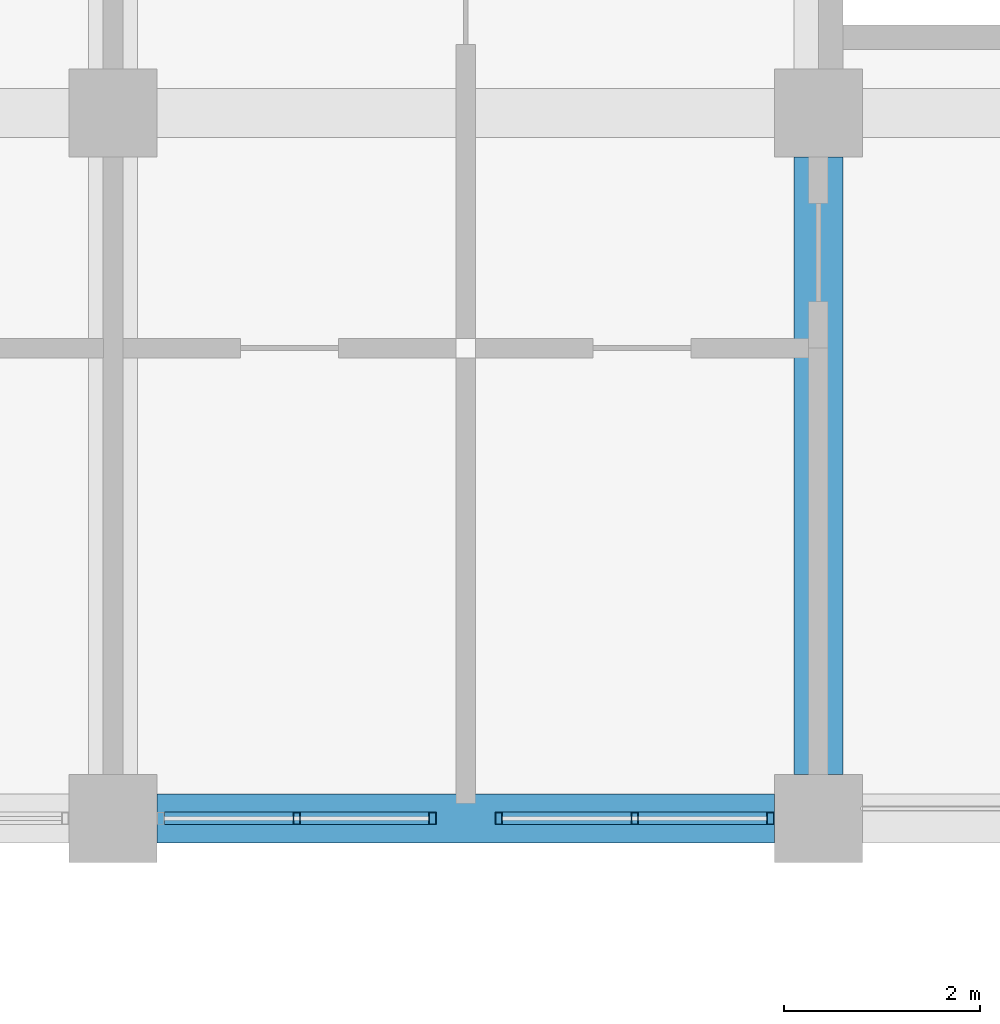
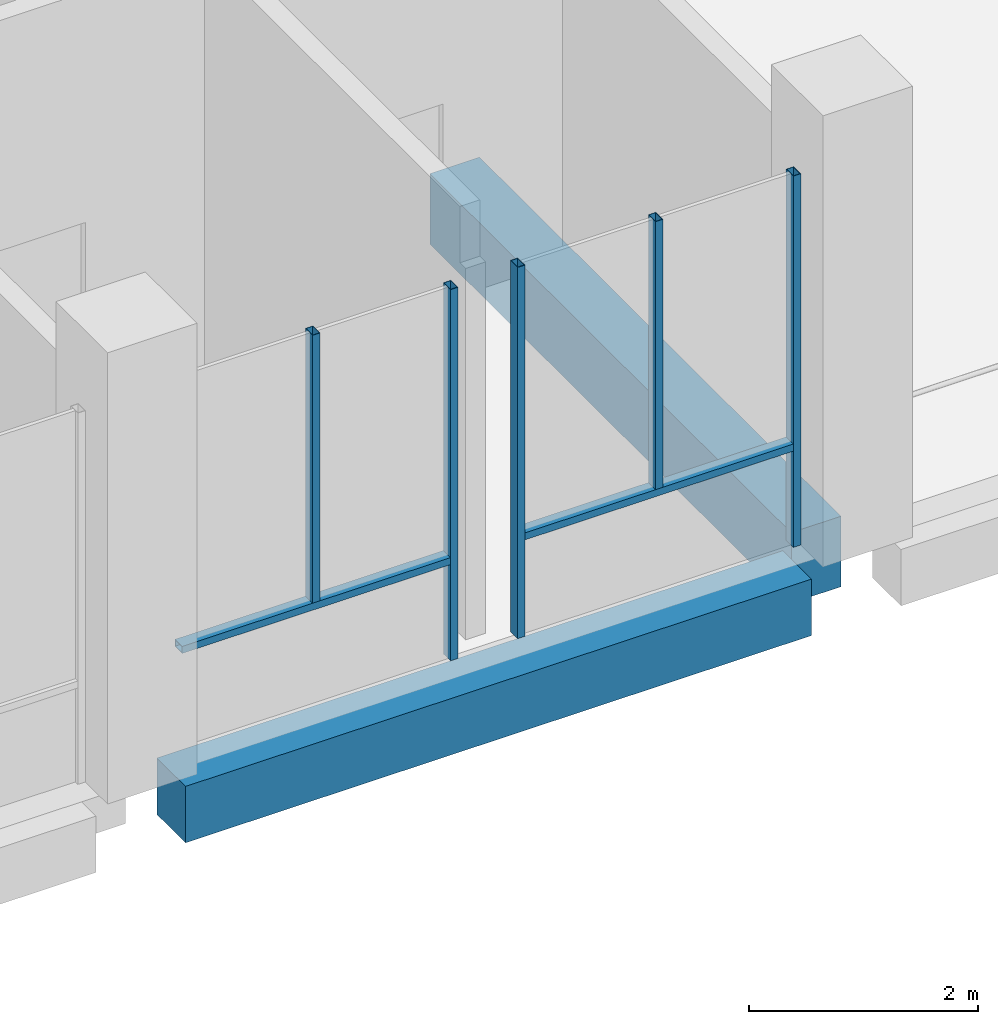
# One storey, part 10 of 39: 7 members, 2 beams, 2 elements without a shape of their own.
"""IFC4 building model written with IfcOpenShell, lengths in metres."""

from ifc_helpers import new_model, si_unit, direction, frame, origin, origin_2d, place, context, subcontext, project, spatial, rectangle, hollow_rectangle, extrude, material, material_profile, profile_set, type_object, element, aggregate, save


model = new_model("IFC4")

# Units and contexts
model_context = context("Model", 3, precision=1e-05, world=origin(), true_north=direction((0.0, 1.0)))
body_context = subcontext(model_context, "Body", "Model", "MODEL_VIEW")
ifc_project = project(units=[si_unit("LENGTHUNIT", "METRE"), si_unit("AREAUNIT", "SQUARE_METRE"), si_unit("VOLUMEUNIT", "CUBIC_METRE"), si_unit("PLANEANGLEUNIT", "RADIAN"), si_unit("MASSUNIT", "GRAM", prefix="KILO")], contexts=[model_context])

# Site, building, storey
site_placement = place(None, origin())
site = spatial("IfcSite", under=ifc_project, at=site_placement, CompositionType="ELEMENT")
building_placement = place(site_placement, origin())
building = spatial("IfcBuilding", under=site, at=building_placement, Name="Silangan Lancet Faculty of Sciences", CompositionType="ELEMENT")
storey_placement = place(building_placement, frame((0.0, 0.0, 26.39990234375)))
storey = spatial("IfcBuildingStorey", under=building, at=storey_placement, Name="L05", CompositionType="ELEMENT", Elevation=26.39990234375)

# Beams
ifc_material_1 = material(Name="Concrete C40/50", Category="concrete")
ifc_material_profile_1 = material_profile(ifc_material_1, rectangle(XDim=0.5, YDim=0.60009765625, at=origin_2d()), Name="RC 500x600")
ifc_profile_set_1 = profile_set([ifc_material_profile_1], Name="Concrete C40/50")
beam_type_1 = type_object("IfcBeamType", Name="BEAM RC 500x600", PredefinedType="BEAM", material=ifc_profile_set_1)
beam_1_placement = place(storey_placement, frame((14.85009765625, 36.0, -0.5498046875), z_axis=(1.0, 0.0, 0.0), x_axis=(0.0, 1.0, 0.0)))
element("IfcBeam", 1, at=beam_1_placement, inside=storey, type_object=beam_type_1, Name="BM-L05-3F-4F", PredefinedType="BEAM", context=body_context, shape_type="SweptSolid", body=[
    extrude(rectangle(XDim=0.5, YDim=0.60009765625, at=origin_2d()), origin(), (0.0, 0.0, 1.0), 6.2998046875),
])
ifc_material_2 = material(Name="Concrete C40/50", Category="concrete")
ifc_material_profile_2 = material_profile(ifc_material_2, rectangle(XDim=0.5, YDim=0.75, at=origin_2d()), Name="RC 500x750")
ifc_profile_set_2 = profile_set([ifc_material_profile_2], Name="Concrete C40/50")
beam_type_2 = type_object("IfcBeamType", Name="BEAM RC 500x750", PredefinedType="BEAM", material=ifc_profile_set_2)
beam_2_placement = place(storey_placement, frame((21.60009765625, 36.449951171875, -0.625), z_axis=(0.0, 1.0, 0.0), x_axis=(-1.0, 0.0, 0.0)))
element("IfcBeam", 2, at=beam_2_placement, inside=storey, type_object=beam_type_2, Name="BM-L05-4F-4G", PredefinedType="BEAM", context=body_context, shape_type="SweptSolid", body=[
    extrude(rectangle(XDim=0.5, YDim=0.75, at=origin_2d()), origin(), (0.0, 0.0, 1.0), 6.300048828125),
])

# Curtain wall, members
ifc_material_3 = material(Name="Aluminium framed curtain wall with insulated glass", Category="aluminium")
curtain_wall_type = type_object("IfcCurtainWallType", Name="CW2 Atrium fire-resisting screen", PredefinedType="NOTDEFINED", material=ifc_material_3)
curtain_wall_1_placement = place(storey_placement, origin())
curtain_wall_1 = element("IfcCurtainWall", 3, at=curtain_wall_1_placement, inside=storey, type_object=curtain_wall_type, Name="CW2 Atrium north L05 bay 5", PredefinedType="NOTDEFINED")
ifc_material_4 = material(Name="Steel S355J2H", Category="steel")
ifc_material_profile_3 = material_profile(ifc_material_4, hollow_rectangle(XDim=0.074951171875, YDim=0.125, WallThickness=0.0048828125, at=origin_2d()), Name="ST BOX 75x125x5")
ifc_profile_set_3 = profile_set([ifc_material_profile_3], Name="Steel S355J2H")
member_type_1 = type_object("IfcMemberType", Name="CM2 Mullion 75x125", PredefinedType="MULLION", material=ifc_profile_set_3)
member_1_placement = place(storey_placement, frame((17.66259765625, 36.0, 0.0), z_axis=(0.0, 0.0, 1.0), x_axis=(1.0, 0.0, 0.0)))
member_1 = element("IfcMember", 4, at=member_1_placement, type_object=member_type_1, Name="CW2 Atrium north L05 bay 5 mullion 2", PredefinedType="MULLION", context=body_context, shape_type="SweptSolid", body=[
    extrude(hollow_rectangle(XDim=0.074951171875, YDim=0.125, WallThickness=0.0048828125, at=origin_2d()), origin(), (0.0, 0.0, 1.0), 3.9501953125),
])
member_2_placement = place(storey_placement, frame((16.27490234375, 36.0, 1.10009765625), z_axis=(0.0, 0.0, 1.0), x_axis=(1.0, 0.0, 0.0)))
member_2 = element("IfcMember", 5, at=member_2_placement, type_object=member_type_1, Name="CW2 Atrium north L05 bay 5 mullion 3", PredefinedType="MULLION", context=body_context, shape_type="SweptSolid", body=[
    extrude(hollow_rectangle(XDim=0.074951171875, YDim=0.125, WallThickness=0.0048828125, at=origin_2d()), origin(), (0.0, 0.0, 1.0), 2.85009765625),
])

curtain_wall_2_placement = place(storey_placement, origin())
curtain_wall_2 = element("IfcCurtainWall", 6, at=curtain_wall_2_placement, inside=storey, type_object=curtain_wall_type, Name="CW2 Atrium north L05 bay 6", PredefinedType="NOTDEFINED")
member_3_placement = place(storey_placement, frame((18.33740234375, 36.0, 0.0), z_axis=(0.0, 0.0, 1.0), x_axis=(1.0, 0.0, 0.0)))
member_3 = element("IfcMember", 7, at=member_3_placement, type_object=member_type_1, Name="CW2 Atrium north L05 bay 6 mullion 1", PredefinedType="MULLION", context=body_context, shape_type="SweptSolid", body=[
    extrude(hollow_rectangle(XDim=0.074951171875, YDim=0.125, WallThickness=0.0048828125, at=origin_2d()), origin(), (0.0, 0.0, 1.0), 3.9501953125),
])
member_4_placement = place(storey_placement, frame((21.112548828125, 36.0, 0.0), z_axis=(0.0, 0.0, 1.0), x_axis=(1.0, 0.0, 0.0)))
member_4 = element("IfcMember", 8, at=member_4_placement, type_object=member_type_1, Name="CW2 Atrium north L05 bay 6 mullion 2", PredefinedType="MULLION", context=body_context, shape_type="SweptSolid", body=[
    extrude(hollow_rectangle(XDim=0.074951171875, YDim=0.125, WallThickness=0.0048828125, at=origin_2d()), origin(), (0.0, 0.0, 1.0), 3.9501953125),
])
member_5_placement = place(storey_placement, frame((19.72509765625, 36.0, 1.10009765625), z_axis=(0.0, 0.0, 1.0), x_axis=(1.0, 0.0, 0.0)))
member_5 = element("IfcMember", 9, at=member_5_placement, type_object=member_type_1, Name="CW2 Atrium north L05 bay 6 mullion 3", PredefinedType="MULLION", context=body_context, shape_type="SweptSolid", body=[
    extrude(hollow_rectangle(XDim=0.074951171875, YDim=0.125, WallThickness=0.0048828125, at=origin_2d()), origin(), (0.0, 0.0, 1.0), 2.85009765625),
])

# Member
ifc_material_5 = material(Name="Steel S355J2H", Category="steel")
ifc_material_profile_4 = material_profile(ifc_material_5, hollow_rectangle(XDim=0.125, YDim=0.074951171875, WallThickness=0.0048828125, at=origin_2d()), Name="ST BOX 125x75x5")
ifc_profile_set_4 = profile_set([ifc_material_profile_4], Name="Steel S355J2H")
member_type_2 = type_object("IfcMemberType", Name="CT2 Transom 125x75", PredefinedType="USERDEFINED", material=ifc_profile_set_4)
member_6_placement = place(storey_placement, frame((14.925048828125, 36.0, 1.0625), z_axis=(1.0, 0.0, 0.0), x_axis=(0.0, 1.0, 0.0)))
member_6 = element("IfcMember", 10, at=member_6_placement, type_object=member_type_2, Name="CW2 Atrium north L05 bay 5 transom 1", ObjectType="TRANSOM", PredefinedType="USERDEFINED", context=body_context, shape_type="SweptSolid", body=[
    extrude(hollow_rectangle(XDim=0.125, YDim=0.074951171875, WallThickness=0.0048828125, at=origin_2d()), origin(), (0.0, 0.0, 1.0), 2.699951171875),
])

aggregate(curtain_wall_1, [member_1, member_2, member_6])

member_7_placement = place(storey_placement, frame((18.375, 36.0, 1.0625), z_axis=(1.0, 0.0, 0.0), x_axis=(0.0, 1.0, 0.0)))
member_7 = element("IfcMember", 11, at=member_7_placement, type_object=member_type_2, Name="CW2 Atrium north L05 bay 6 transom 1", ObjectType="TRANSOM", PredefinedType="USERDEFINED", context=body_context, shape_type="SweptSolid", body=[
    extrude(hollow_rectangle(XDim=0.125, YDim=0.074951171875, WallThickness=0.0048828125, at=origin_2d()), origin(), (0.0, 0.0, 1.0), 2.699951171875),
])

aggregate(curtain_wall_2, [member_3, member_4, member_5, member_7])

save(model, "model.ifc")
